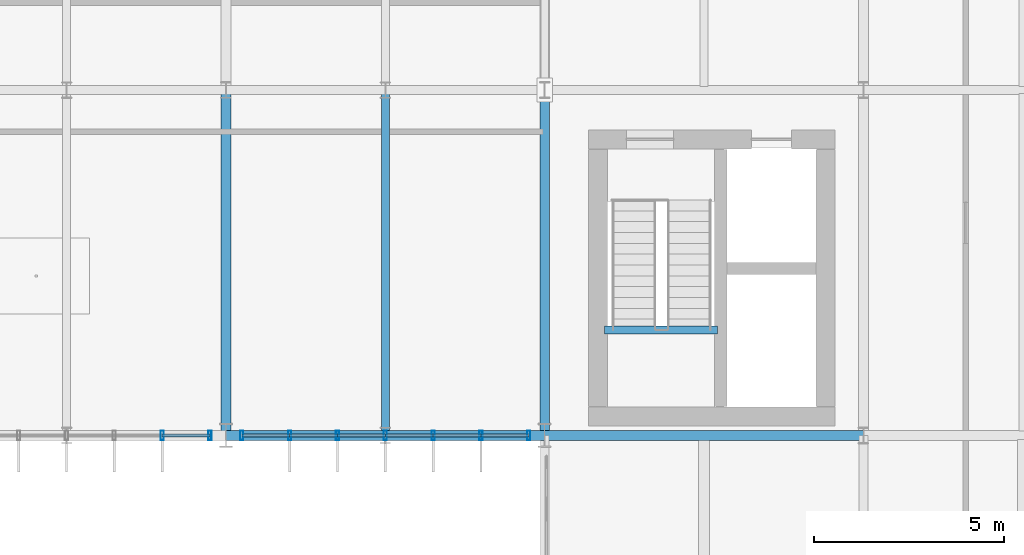
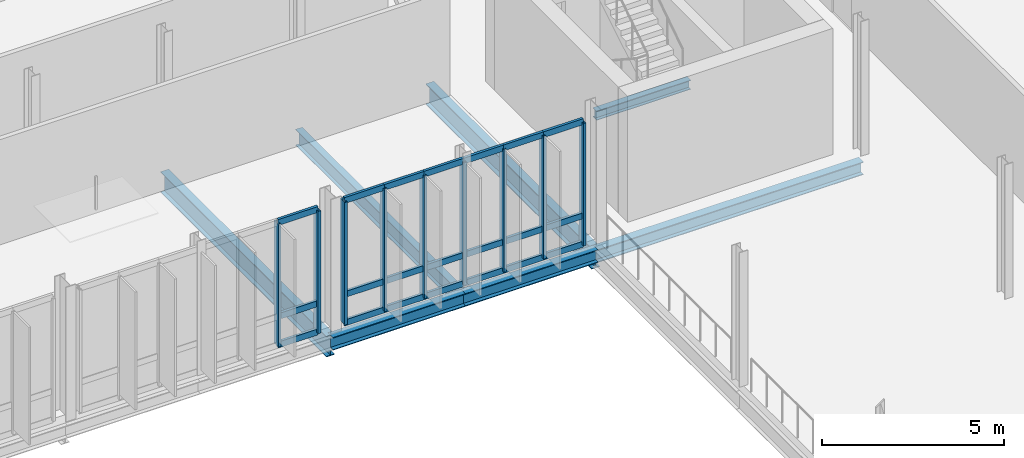
# One storey, part 76 of 139: 30 members, 7 beams, 2 elements without a shape of their own.
"""IFC4 building model written with IfcOpenShell, lengths in metres."""

from ifc_helpers import new_model, si_unit, derived_unit, direction, frame, origin, origin_2d, place, context, subcontext, project, spatial, hollow_rectangle, i_section, extrude, material, layer, layer_set, material_profile, profile_set, type_object, element, aggregate, save


model = new_model("IFC4")

# Units and contexts
model_context = context("Model", 3, precision=1e-05, world=origin(), true_north=direction((0.0, 1.0)))
body_context = subcontext(model_context, "Body", "Model", "MODEL_VIEW")
ifc_project = project(units=[si_unit("LENGTHUNIT", "METRE"), si_unit("AREAUNIT", "SQUARE_METRE"), si_unit("VOLUMEUNIT", "CUBIC_METRE"), si_unit("PLANEANGLEUNIT", "RADIAN"), si_unit("MASSUNIT", "GRAM", prefix="KILO"), derived_unit("THERMALTRANSMITTANCEUNIT", [(si_unit("MASSUNIT", "GRAM", prefix="KILO"), 1), (si_unit("TIMEUNIT", "SECOND"), -3), (si_unit("THERMODYNAMICTEMPERATUREUNIT", "KELVIN"), -1)])], contexts=[model_context])

# Site, building, storey
site_placement = place(None, origin())
site = spatial("IfcSite", under=ifc_project, at=site_placement, CompositionType="ELEMENT")
building_placement = place(site_placement, origin())
building = spatial("IfcBuilding", under=site, at=building_placement, Name="Makaiwela Harbour Ferry Terminal", CompositionType="ELEMENT")
storey_placement = place(building_placement, frame((0.0, 0.0, 5.10009765625)))
storey = spatial("IfcBuildingStorey", under=building, at=storey_placement, Name="L01", CompositionType="ELEMENT", Elevation=5.10009765625)

# Curtain wall, members
ifc_material_1 = material(Name="Marine anodised aluminium 6063-T6", Category="aluminium")
ifc_layer = layer(ifc_material_1, 0.199951171875)
ifc_layer_set = layer_set([ifc_layer], Name="Marine anodised aluminium 6063-T6")
curtain_wall_type = type_object("IfcCurtainWallType", Name="ENV-CW-08", PredefinedType="USERDEFINED", material=ifc_layer_set)
curtain_wall_1_placement = place(storey_placement, origin())
curtain_wall_1 = element("IfcCurtainWall", 1, at=curtain_wall_1_placement, inside=storey, type_object=curtain_wall_type, Name="Unitised Curtain Wall CWA-092", ObjectType="UNITIZED CURTAIN WALL", PredefinedType="USERDEFINED")
ifc_material_profile_1 = material_profile(ifc_material_1, hollow_rectangle(XDim=0.0849609375, YDim=0.25, WallThickness=0.0048828125, at=origin_2d()), Name="CWM-250X85")
ifc_profile_set_1 = profile_set([ifc_material_profile_1], Name="Marine anodised aluminium 6063-T6")
member_type_1 = type_object("IfcMemberType", Name="CW-MUL-250", PredefinedType="MULLION", material=ifc_profile_set_1)
member_1_placement = place(storey_placement, frame((129.780029296875, 49.39990234375, 0.0), z_axis=(0.0, 0.0, 1.0), x_axis=(1.0, 0.0, 0.0)))
member_1 = element("IfcMember", 2, at=member_1_placement, type_object=member_type_1, Name="Curtain Wall Mullion CWA-092-1", PredefinedType="MULLION", context=body_context, shape_type="SweptSolid", body=[
    extrude(hollow_rectangle(XDim=0.0849609375, YDim=0.25, WallThickness=0.0048828125, at=origin_2d()), origin(), (0.0, 0.0, 1.0), 4.099853515625),
])
member_2_placement = place(storey_placement, frame((128.52001953125, 49.39990234375, 0.0), z_axis=(0.0, 0.0, 1.0), x_axis=(1.0, 0.0, 0.0)))
member_2 = element("IfcMember", 3, at=member_2_placement, type_object=member_type_1, Name="Curtain Wall Mullion CWA-092-2", PredefinedType="MULLION", context=body_context, shape_type="SweptSolid", body=[
    extrude(hollow_rectangle(XDim=0.0849609375, YDim=0.25, WallThickness=0.0048828125, at=origin_2d()), origin(), (0.0, 0.0, 1.0), 4.099853515625),
])

curtain_wall_2_placement = place(storey_placement, origin())
curtain_wall_2 = element("IfcCurtainWall", 4, at=curtain_wall_2_placement, inside=storey, type_object=curtain_wall_type, Name="Unitised Curtain Wall CWA-095", ObjectType="UNITIZED CURTAIN WALL", PredefinedType="USERDEFINED")
member_3_placement = place(storey_placement, frame((138.179931640625, 49.39990234375, 0.0), z_axis=(0.0, 0.0, 1.0), x_axis=(1.0, 0.0, 0.0)))
member_3 = element("IfcMember", 5, at=member_3_placement, type_object=member_type_1, Name="Curtain Wall Mullion CWA-095-1", PredefinedType="MULLION", context=body_context, shape_type="SweptSolid", body=[
    extrude(hollow_rectangle(XDim=0.0849609375, YDim=0.25, WallThickness=0.0048828125, at=origin_2d()), origin(), (0.0, 0.0, 1.0), 4.099853515625),
])
member_4_placement = place(storey_placement, frame((136.919921875, 49.39990234375, 0.0), z_axis=(0.0, 0.0, 1.0), x_axis=(1.0, 0.0, 0.0)))
member_4 = element("IfcMember", 6, at=member_4_placement, type_object=member_type_1, Name="Curtain Wall Mullion CWA-095-2", PredefinedType="MULLION", context=body_context, shape_type="SweptSolid", body=[
    extrude(hollow_rectangle(XDim=0.0849609375, YDim=0.25, WallThickness=0.0048828125, at=origin_2d()), origin(), (0.0, 0.0, 1.0), 4.099853515625),
])
member_5_placement = place(storey_placement, frame((135.659912109375, 49.39990234375, 0.0), z_axis=(0.0, 0.0, 1.0), x_axis=(1.0, 0.0, 0.0)))
member_5 = element("IfcMember", 7, at=member_5_placement, type_object=member_type_1, Name="Curtain Wall Mullion CWA-095-3", PredefinedType="MULLION", context=body_context, shape_type="SweptSolid", body=[
    extrude(hollow_rectangle(XDim=0.0849609375, YDim=0.25, WallThickness=0.0048828125, at=origin_2d()), origin(), (0.0, 0.0, 1.0), 4.099853515625),
])
member_6_placement = place(storey_placement, frame((134.39990234375, 49.39990234375, 0.0), z_axis=(0.0, 0.0, 1.0), x_axis=(1.0, 0.0, 0.0)))
member_6 = element("IfcMember", 8, at=member_6_placement, type_object=member_type_1, Name="Curtain Wall Mullion CWA-095-4", PredefinedType="MULLION", context=body_context, shape_type="SweptSolid", body=[
    extrude(hollow_rectangle(XDim=0.0849609375, YDim=0.25, WallThickness=0.0048828125, at=origin_2d()), origin(), (0.0, 0.0, 1.0), 4.099853515625),
])
member_7_placement = place(storey_placement, frame((133.139892578125, 49.39990234375, 0.0), z_axis=(0.0, 0.0, 1.0), x_axis=(1.0, 0.0, 0.0)))
member_7 = element("IfcMember", 9, at=member_7_placement, type_object=member_type_1, Name="Curtain Wall Mullion CWA-095-5", PredefinedType="MULLION", context=body_context, shape_type="SweptSolid", body=[
    extrude(hollow_rectangle(XDim=0.0849609375, YDim=0.25, WallThickness=0.0048828125, at=origin_2d()), origin(), (0.0, 0.0, 1.0), 4.099853515625),
])
member_8_placement = place(storey_placement, frame((131.8798828125, 49.39990234375, 0.0), z_axis=(0.0, 0.0, 1.0), x_axis=(1.0, 0.0, 0.0)))
member_8 = element("IfcMember", 10, at=member_8_placement, type_object=member_type_1, Name="Curtain Wall Mullion CWA-095-6", PredefinedType="MULLION", context=body_context, shape_type="SweptSolid", body=[
    extrude(hollow_rectangle(XDim=0.0849609375, YDim=0.25, WallThickness=0.0048828125, at=origin_2d()), origin(), (0.0, 0.0, 1.0), 4.099853515625),
])
member_9_placement = place(storey_placement, frame((130.6201171875, 49.39990234375, 0.0), z_axis=(0.0, 0.0, 1.0), x_axis=(1.0, 0.0, 0.0)))
member_9 = element("IfcMember", 11, at=member_9_placement, type_object=member_type_1, Name="Curtain Wall Mullion CWA-095-7", PredefinedType="MULLION", context=body_context, shape_type="SweptSolid", body=[
    extrude(hollow_rectangle(XDim=0.0849609375, YDim=0.25, WallThickness=0.0048828125, at=origin_2d()), origin(), (0.0, 0.0, 1.0), 4.099853515625),
])

# Member
ifc_material_profile_2 = material_profile(ifc_material_1, hollow_rectangle(XDim=0.0849609375, YDim=0.199951171875, WallThickness=0.0048828125, at=origin_2d()), Name="CWT-200X85")
ifc_profile_set_2 = profile_set([ifc_material_profile_2], Name="Marine anodised aluminium 6063-T6")
member_type_2 = type_object("IfcMemberType", Name="CW-TRN-200", PredefinedType="USERDEFINED", material=ifc_profile_set_2)
member_10_placement = place(storey_placement, frame((129.780029296875, 49.39990234375, 0.0), z_axis=(-1.0, 0.0, 0.0), x_axis=(0.0, -1.0, 0.0)))
member_10 = element("IfcMember", 12, at=member_10_placement, type_object=member_type_2, Name="Curtain Wall Transom CWA-092-1-1", ObjectType="TRANSOM", PredefinedType="USERDEFINED", context=body_context, shape_type="SweptSolid", body=[
    extrude(hollow_rectangle(XDim=0.0849609375, YDim=0.199951171875, WallThickness=0.0048828125, at=origin_2d()), origin(), (0.0, 0.0, 1.0), 1.260009765625),
])

member_11_placement = place(storey_placement, frame((129.780029296875, 49.39990234375, 0.949951171875), z_axis=(-1.0, 0.0, 0.0), x_axis=(0.0, -1.0, 0.0)))
member_11 = element("IfcMember", 13, at=member_11_placement, type_object=member_type_2, Name="Curtain Wall Transom CWA-092-1-2", ObjectType="TRANSOM", PredefinedType="USERDEFINED", context=body_context, shape_type="SweptSolid", body=[
    extrude(hollow_rectangle(XDim=0.0849609375, YDim=0.199951171875, WallThickness=0.0048828125, at=origin_2d()), origin(), (0.0, 0.0, 1.0), 1.260009765625),
])

member_12_placement = place(storey_placement, frame((129.780029296875, 49.39990234375, 4.099853515625), z_axis=(-1.0, 0.0, 0.0), x_axis=(0.0, -1.0, 0.0)))
member_12 = element("IfcMember", 14, at=member_12_placement, type_object=member_type_2, Name="Curtain Wall Transom CWA-092-1-3", ObjectType="TRANSOM", PredefinedType="USERDEFINED", context=body_context, shape_type="SweptSolid", body=[
    extrude(hollow_rectangle(XDim=0.0849609375, YDim=0.199951171875, WallThickness=0.0048828125, at=origin_2d()), origin(), (0.0, 0.0, 1.0), 1.260009765625),
])

aggregate(curtain_wall_1, [member_1, member_2, member_10, member_11, member_12])

member_13_placement = place(storey_placement, frame((138.179931640625, 49.39990234375, 0.0), z_axis=(-1.0, 0.0, 0.0), x_axis=(0.0, -1.0, 0.0)))
member_13 = element("IfcMember", 15, at=member_13_placement, type_object=member_type_2, Name="Curtain Wall Transom CWA-095-1-1", ObjectType="TRANSOM", PredefinedType="USERDEFINED", context=body_context, shape_type="SweptSolid", body=[
    extrude(hollow_rectangle(XDim=0.0849609375, YDim=0.199951171875, WallThickness=0.0048828125, at=origin_2d()), origin(), (0.0, 0.0, 1.0), 1.260009765625),
])

member_14_placement = place(storey_placement, frame((138.179931640625, 49.39990234375, 0.949951171875), z_axis=(-1.0, 0.0, 0.0), x_axis=(0.0, -1.0, 0.0)))
member_14 = element("IfcMember", 16, at=member_14_placement, type_object=member_type_2, Name="Curtain Wall Transom CWA-095-1-2", ObjectType="TRANSOM", PredefinedType="USERDEFINED", context=body_context, shape_type="SweptSolid", body=[
    extrude(hollow_rectangle(XDim=0.0849609375, YDim=0.199951171875, WallThickness=0.0048828125, at=origin_2d()), origin(), (0.0, 0.0, 1.0), 1.260009765625),
])

member_15_placement = place(storey_placement, frame((138.179931640625, 49.39990234375, 4.099853515625), z_axis=(-1.0, 0.0, 0.0), x_axis=(0.0, -1.0, 0.0)))
member_15 = element("IfcMember", 17, at=member_15_placement, type_object=member_type_2, Name="Curtain Wall Transom CWA-095-1-3", ObjectType="TRANSOM", PredefinedType="USERDEFINED", context=body_context, shape_type="SweptSolid", body=[
    extrude(hollow_rectangle(XDim=0.0849609375, YDim=0.199951171875, WallThickness=0.0048828125, at=origin_2d()), origin(), (0.0, 0.0, 1.0), 1.260009765625),
])

member_16_placement = place(storey_placement, frame((136.919921875, 49.39990234375, 0.0), z_axis=(-1.0, 0.0, 0.0), x_axis=(0.0, -1.0, 0.0)))
member_16 = element("IfcMember", 18, at=member_16_placement, type_object=member_type_2, Name="Curtain Wall Transom CWA-095-2-1", ObjectType="TRANSOM", PredefinedType="USERDEFINED", context=body_context, shape_type="SweptSolid", body=[
    extrude(hollow_rectangle(XDim=0.0849609375, YDim=0.199951171875, WallThickness=0.0048828125, at=origin_2d()), origin(), (0.0, 0.0, 1.0), 1.260009765625),
])

member_17_placement = place(storey_placement, frame((136.919921875, 49.39990234375, 0.949951171875), z_axis=(-1.0, 0.0, 0.0), x_axis=(0.0, -1.0, 0.0)))
member_17 = element("IfcMember", 19, at=member_17_placement, type_object=member_type_2, Name="Curtain Wall Transom CWA-095-2-2", ObjectType="TRANSOM", PredefinedType="USERDEFINED", context=body_context, shape_type="SweptSolid", body=[
    extrude(hollow_rectangle(XDim=0.0849609375, YDim=0.199951171875, WallThickness=0.0048828125, at=origin_2d()), origin(), (0.0, 0.0, 1.0), 1.260009765625),
])

member_18_placement = place(storey_placement, frame((136.919921875, 49.39990234375, 4.099853515625), z_axis=(-1.0, 0.0, 0.0), x_axis=(0.0, -1.0, 0.0)))
member_18 = element("IfcMember", 20, at=member_18_placement, type_object=member_type_2, Name="Curtain Wall Transom CWA-095-2-3", ObjectType="TRANSOM", PredefinedType="USERDEFINED", context=body_context, shape_type="SweptSolid", body=[
    extrude(hollow_rectangle(XDim=0.0849609375, YDim=0.199951171875, WallThickness=0.0048828125, at=origin_2d()), origin(), (0.0, 0.0, 1.0), 1.260009765625),
])

member_19_placement = place(storey_placement, frame((135.659912109375, 49.39990234375, 0.0), z_axis=(-1.0, 0.0, 0.0), x_axis=(0.0, -1.0, 0.0)))
member_19 = element("IfcMember", 21, at=member_19_placement, type_object=member_type_2, Name="Curtain Wall Transom CWA-095-3-1", ObjectType="TRANSOM", PredefinedType="USERDEFINED", context=body_context, shape_type="SweptSolid", body=[
    extrude(hollow_rectangle(XDim=0.0849609375, YDim=0.199951171875, WallThickness=0.0048828125, at=origin_2d()), origin(), (0.0, 0.0, 1.0), 1.260009765625),
])

member_20_placement = place(storey_placement, frame((135.659912109375, 49.39990234375, 0.949951171875), z_axis=(-1.0, 0.0, 0.0), x_axis=(0.0, -1.0, 0.0)))
member_20 = element("IfcMember", 22, at=member_20_placement, type_object=member_type_2, Name="Curtain Wall Transom CWA-095-3-2", ObjectType="TRANSOM", PredefinedType="USERDEFINED", context=body_context, shape_type="SweptSolid", body=[
    extrude(hollow_rectangle(XDim=0.0849609375, YDim=0.199951171875, WallThickness=0.0048828125, at=origin_2d()), origin(), (0.0, 0.0, 1.0), 1.260009765625),
])

member_21_placement = place(storey_placement, frame((135.659912109375, 49.39990234375, 4.099853515625), z_axis=(-1.0, 0.0, 0.0), x_axis=(0.0, -1.0, 0.0)))
member_21 = element("IfcMember", 23, at=member_21_placement, type_object=member_type_2, Name="Curtain Wall Transom CWA-095-3-3", ObjectType="TRANSOM", PredefinedType="USERDEFINED", context=body_context, shape_type="SweptSolid", body=[
    extrude(hollow_rectangle(XDim=0.0849609375, YDim=0.199951171875, WallThickness=0.0048828125, at=origin_2d()), origin(), (0.0, 0.0, 1.0), 1.260009765625),
])

member_22_placement = place(storey_placement, frame((134.39990234375, 49.39990234375, 0.0), z_axis=(-1.0, 0.0, 0.0), x_axis=(0.0, -1.0, 0.0)))
member_22 = element("IfcMember", 24, at=member_22_placement, type_object=member_type_2, Name="Curtain Wall Transom CWA-095-4-1", ObjectType="TRANSOM", PredefinedType="USERDEFINED", context=body_context, shape_type="SweptSolid", body=[
    extrude(hollow_rectangle(XDim=0.0849609375, YDim=0.199951171875, WallThickness=0.0048828125, at=origin_2d()), origin(), (0.0, 0.0, 1.0), 1.260009765625),
])

member_23_placement = place(storey_placement, frame((134.39990234375, 49.39990234375, 0.949951171875), z_axis=(-1.0, 0.0, 0.0), x_axis=(0.0, -1.0, 0.0)))
member_23 = element("IfcMember", 25, at=member_23_placement, type_object=member_type_2, Name="Curtain Wall Transom CWA-095-4-2", ObjectType="TRANSOM", PredefinedType="USERDEFINED", context=body_context, shape_type="SweptSolid", body=[
    extrude(hollow_rectangle(XDim=0.0849609375, YDim=0.199951171875, WallThickness=0.0048828125, at=origin_2d()), origin(), (0.0, 0.0, 1.0), 1.260009765625),
])

member_24_placement = place(storey_placement, frame((134.39990234375, 49.39990234375, 4.099853515625), z_axis=(-1.0, 0.0, 0.0), x_axis=(0.0, -1.0, 0.0)))
member_24 = element("IfcMember", 26, at=member_24_placement, type_object=member_type_2, Name="Curtain Wall Transom CWA-095-4-3", ObjectType="TRANSOM", PredefinedType="USERDEFINED", context=body_context, shape_type="SweptSolid", body=[
    extrude(hollow_rectangle(XDim=0.0849609375, YDim=0.199951171875, WallThickness=0.0048828125, at=origin_2d()), origin(), (0.0, 0.0, 1.0), 1.260009765625),
])

member_25_placement = place(storey_placement, frame((133.139892578125, 49.39990234375, 0.0), z_axis=(-1.0, 0.0, 0.0), x_axis=(0.0, -1.0, 0.0)))
member_25 = element("IfcMember", 27, at=member_25_placement, type_object=member_type_2, Name="Curtain Wall Transom CWA-095-5-1", ObjectType="TRANSOM", PredefinedType="USERDEFINED", context=body_context, shape_type="SweptSolid", body=[
    extrude(hollow_rectangle(XDim=0.0849609375, YDim=0.199951171875, WallThickness=0.0048828125, at=origin_2d()), origin(), (0.0, 0.0, 1.0), 1.260009765625),
])

member_26_placement = place(storey_placement, frame((133.139892578125, 49.39990234375, 0.949951171875), z_axis=(-1.0, 0.0, 0.0), x_axis=(0.0, -1.0, 0.0)))
member_26 = element("IfcMember", 28, at=member_26_placement, type_object=member_type_2, Name="Curtain Wall Transom CWA-095-5-2", ObjectType="TRANSOM", PredefinedType="USERDEFINED", context=body_context, shape_type="SweptSolid", body=[
    extrude(hollow_rectangle(XDim=0.0849609375, YDim=0.199951171875, WallThickness=0.0048828125, at=origin_2d()), origin(), (0.0, 0.0, 1.0), 1.260009765625),
])

member_27_placement = place(storey_placement, frame((133.139892578125, 49.39990234375, 4.099853515625), z_axis=(-1.0, 0.0, 0.0), x_axis=(0.0, -1.0, 0.0)))
member_27 = element("IfcMember", 29, at=member_27_placement, type_object=member_type_2, Name="Curtain Wall Transom CWA-095-5-3", ObjectType="TRANSOM", PredefinedType="USERDEFINED", context=body_context, shape_type="SweptSolid", body=[
    extrude(hollow_rectangle(XDim=0.0849609375, YDim=0.199951171875, WallThickness=0.0048828125, at=origin_2d()), origin(), (0.0, 0.0, 1.0), 1.260009765625),
])

member_28_placement = place(storey_placement, frame((131.8798828125, 49.39990234375, 0.0), z_axis=(-1.0, 0.0, 0.0), x_axis=(0.0, -1.0, 0.0)))
member_28 = element("IfcMember", 30, at=member_28_placement, type_object=member_type_2, Name="Curtain Wall Transom CWA-095-6-1", ObjectType="TRANSOM", PredefinedType="USERDEFINED", context=body_context, shape_type="SweptSolid", body=[
    extrude(hollow_rectangle(XDim=0.0849609375, YDim=0.199951171875, WallThickness=0.0048828125, at=origin_2d()), origin(), (0.0, 0.0, 1.0), 1.259765625),
])

member_29_placement = place(storey_placement, frame((131.8798828125, 49.39990234375, 0.949951171875), z_axis=(-1.0, 0.0, 0.0), x_axis=(0.0, -1.0, 0.0)))
member_29 = element("IfcMember", 31, at=member_29_placement, type_object=member_type_2, Name="Curtain Wall Transom CWA-095-6-2", ObjectType="TRANSOM", PredefinedType="USERDEFINED", context=body_context, shape_type="SweptSolid", body=[
    extrude(hollow_rectangle(XDim=0.0849609375, YDim=0.199951171875, WallThickness=0.0048828125, at=origin_2d()), origin(), (0.0, 0.0, 1.0), 1.259765625),
])

member_30_placement = place(storey_placement, frame((131.8798828125, 49.39990234375, 4.099853515625), z_axis=(-1.0, 0.0, 0.0), x_axis=(0.0, -1.0, 0.0)))
member_30 = element("IfcMember", 32, at=member_30_placement, type_object=member_type_2, Name="Curtain Wall Transom CWA-095-6-3", ObjectType="TRANSOM", PredefinedType="USERDEFINED", context=body_context, shape_type="SweptSolid", body=[
    extrude(hollow_rectangle(XDim=0.0849609375, YDim=0.199951171875, WallThickness=0.0048828125, at=origin_2d()), origin(), (0.0, 0.0, 1.0), 1.259765625),
])

aggregate(curtain_wall_2, [member_3, member_4, member_5, member_6, member_7, member_8, member_9, member_13, member_14, member_15, member_16, member_17, member_18, member_19, member_20, member_21, member_22, member_23, member_24, member_25, member_26, member_27, member_28, member_29, member_30])

# Beams
ifc_material_2 = material(Name="Steel ASTM A992 Grade 50", Category="steel")
ifc_material_profile_3 = material_profile(ifc_material_2, i_section(OverallWidth=0.2099609375, OverallDepth=0.537109375, WebThickness=0.010986328125, FlangeThickness=0.017333984375, at=origin_2d()), Name="W21X68")
ifc_profile_set_3 = profile_set([ifc_material_profile_3], Name="Steel ASTM A992 Grade 50")
beam_type_1 = type_object("IfcBeamType", Name="STR-BM-W21X68", PredefinedType="BEAM", material=ifc_profile_set_3)
beam_1_placement = place(storey_placement, frame((134.39990234375, 49.514404296875, -0.548583984375), z_axis=(0.0, 1.0, 0.0), x_axis=(-1.0, 0.0, 0.0)))
element("IfcBeam", 33, at=beam_1_placement, inside=storey, type_object=beam_type_1, Name="Secondary floor beam 1144", PredefinedType="BEAM", context=body_context, shape_type="SweptSolid", body=[
    extrude(i_section(OverallWidth=0.2099609375, OverallDepth=0.537109375, WebThickness=0.010986328125, FlangeThickness=0.017333984375, at=origin_2d()), origin(), (0.0, 0.0, 1.0), 8.88916015625),
])
ifc_material_profile_4 = material_profile(ifc_material_2, i_section(OverallWidth=0.256103515625, OverallDepth=0.693115234375, WebThickness=0.014404296875, FlangeThickness=0.023681640625, at=origin_2d()), Name="W27X114")
ifc_profile_set_4 = profile_set([ifc_material_profile_4], Name="Steel ASTM A992 Grade 50")
beam_type_2 = type_object("IfcBeamType", Name="STR-GRD-W27X114", PredefinedType="USERDEFINED", material=ifc_profile_set_4)
for number, where, z_axis, x_axis, name in (
    (34, (130.199951171875, 49.39990234375, -0.626708984375), (0.0, 1.0, 0.0), (-1.0, 0.0, 0.0), "Primary Y girder 1001"),
    (35, (138.60009765625, 49.39990234375, -0.626708984375), (0.0, 1.0, 0.0), (-1.0, 0.0, 0.0), "Primary Y girder 1013"),
):
    element("IfcBeam", number, at=place(storey_placement, frame(where, z_axis=z_axis, x_axis=x_axis)), inside=storey, type_object=beam_type_2, Name=name, ObjectType="GIRDER", PredefinedType="USERDEFINED", context=body_context, shape_type="SweptSolid", body=[
        extrude(i_section(OverallWidth=0.256103515625, OverallDepth=0.693115234375, WebThickness=0.014404296875, FlangeThickness=0.023681640625, at=origin_2d()), origin(), (0.0, 0.0, 1.0), 9.10009765625),
    ])
ifc_material_profile_5 = material_profile(ifc_material_2, i_section(OverallWidth=0.205078125, OverallDepth=0.31005859375, WebThickness=0.009521484375, FlangeThickness=0.016357421875, at=origin_2d()), Name="W12X50")
ifc_profile_set_5 = profile_set([ifc_material_profile_5], Name="Steel ASTM A992 Grade 50")
beam_type_3 = type_object("IfcBeamType", Name="STR-LNT-W12X50", PredefinedType="LINTEL", material=ifc_profile_set_5)
beam_2_placement = place(storey_placement, frame((140.175048828125, 52.179931640625, 1.94482421875), z_axis=(1.0, 0.0, 0.0), x_axis=(0.0, 1.0, 0.0)))
element("IfcBeam", 36, at=beam_2_placement, inside=storey, type_object=beam_type_3, Name="Stair Landing Beam ST-05-L01", PredefinedType="LINTEL", context=body_context, shape_type="SweptSolid", body=[
    extrude(i_section(OverallWidth=0.205078125, OverallDepth=0.31005859375, WebThickness=0.009521484375, FlangeThickness=0.016357421875, at=origin_2d()), origin(), (0.0, 0.0, 1.0), 2.97998046875),
])
ifc_material_profile_6 = material_profile(ifc_material_2, i_section(OverallWidth=0.264892578125, OverallDepth=0.430908203125, WebThickness=0.014892578125, FlangeThickness=0.02490234375, at=origin_2d()), Name="W16X100")
ifc_profile_set_6 = profile_set([ifc_material_profile_6], Name="Steel ASTM A992 Grade 50")
beam_type_4 = type_object("IfcBeamType", Name="STR-SPN-W16X100", PredefinedType="SPANDREL", material=ifc_profile_set_6)
beam_3_placement = place(storey_placement, frame((130.199951171875, 49.39990234375, -0.49560546875), z_axis=(1.0, 0.0, 0.0), x_axis=(0.0, 1.0, 0.0)))
element("IfcBeam", 37, at=beam_3_placement, inside=storey, type_object=beam_type_4, Name="Primary X girder 823", PredefinedType="SPANDREL", context=body_context, shape_type="SweptSolid", body=[
    extrude(i_section(OverallWidth=0.264892578125, OverallDepth=0.430908203125, WebThickness=0.014892578125, FlangeThickness=0.02490234375, at=origin_2d()), origin(), (0.0, 0.0, 1.0), 4.199951171875),
])
beam_4_placement = place(storey_placement, frame((134.39990234375, 49.39990234375, -0.49560546875), z_axis=(1.0, 0.0, 0.0), x_axis=(0.0, 1.0, 0.0)))
element("IfcBeam", 38, at=beam_4_placement, inside=storey, type_object=beam_type_4, Name="Primary X girder 824", PredefinedType="SPANDREL", context=body_context, shape_type="SweptSolid", body=[
    extrude(i_section(OverallWidth=0.264892578125, OverallDepth=0.430908203125, WebThickness=0.014892578125, FlangeThickness=0.02490234375, at=origin_2d()), origin(), (0.0, 0.0, 1.0), 4.2001953125),
])
beam_5_placement = place(storey_placement, frame((138.60009765625, 49.39990234375, -0.49560546875), z_axis=(1.0, 0.0, 0.0), x_axis=(0.0, 1.0, 0.0)))
element("IfcBeam", 39, at=beam_5_placement, inside=storey, type_object=beam_type_4, Name="Primary X girder 825", PredefinedType="SPANDREL", context=body_context, shape_type="SweptSolid", body=[
    extrude(i_section(OverallWidth=0.264892578125, OverallDepth=0.430908203125, WebThickness=0.014892578125, FlangeThickness=0.02490234375, at=origin_2d()), origin(), (0.0, 0.0, 1.0), 8.39990234375),
])

save(model, "model.ifc")
